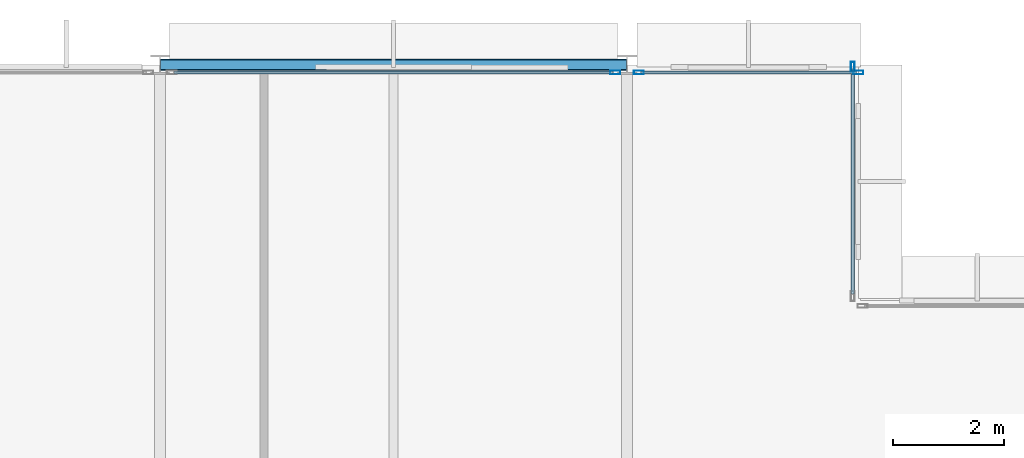
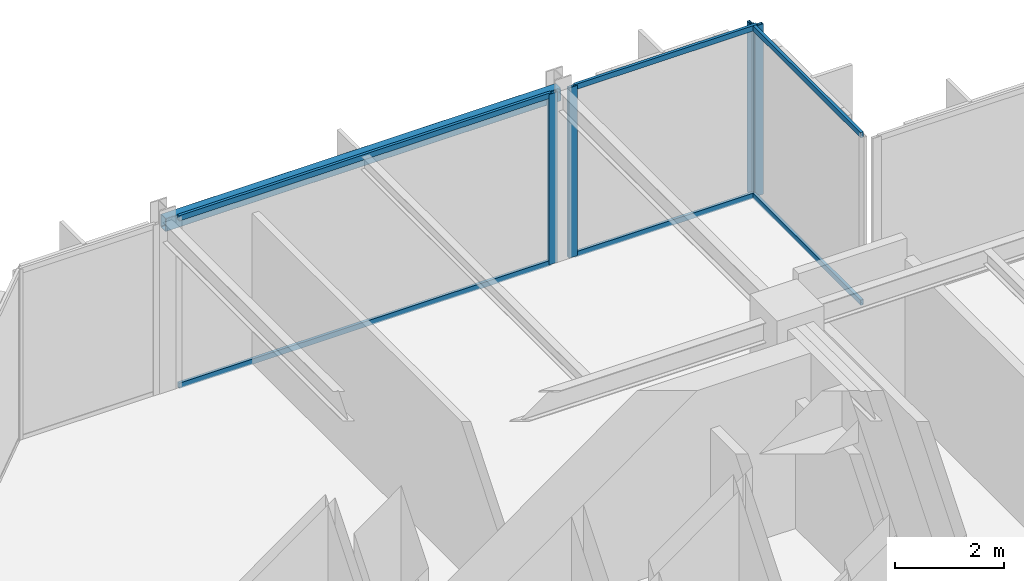
# One storey, part 21 of 30: 10 members, 1 beam, 3 elements without a shape of their own.
"""IFC4 building model written with IfcOpenShell, lengths in metres."""

import ifcopenshell
import ifcopenshell.guid

model = None  # the IFC model being written
_history = None  # IfcOwnerHistory: only IFC2X3 demands one
_inside = {}  # id of a spatial element -> (the spatial element, [elements in it])
_under = {}  # id of a project, library or spatial element -> (it, [spatial elements below it])
_declared = {}  # id of a project -> (the project, [libraries it declares])
_typed = {}  # id of a type object -> (the type object, [elements of that type])
_made_of = {}  # id of a material, layer set ... -> (it, [elements and type objects made of it])


def new_model(schema):
    """Start an empty IFC model of exactly this schema.

    Asked for "IFC4X3", IfcOpenShell would pick the latest addendum, in which some entities
    have other attributes; the version numbers below select the first issue.
    IFC2X3 requires an IfcOwnerHistory on every rooted entity: one is made here for all.
    """
    global model, _history
    if schema == "IFC4X3":
        model = ifcopenshell.file(schema_version=(4, 3, 0, 0))
    else:
        model = ifcopenshell.file(schema=schema)
    _inside.clear()
    _under.clear()
    _declared.clear()
    _typed.clear()
    _made_of.clear()
    _history = None
    if model.schema == "IFC2X3":
        org = make("IfcOrganization", Name="unknown")
        user = make(
            "IfcPersonAndOrganization",
            ThePerson=make("IfcPerson", FamilyName="unknown"),
            TheOrganization=org,
        )
        app = make(
            "IfcApplication",
            ApplicationDeveloper=org,
            Version="unknown",
            ApplicationFullName="unknown",
            ApplicationIdentifier="unknown",
        )
        _history = make(
            "IfcOwnerHistory",
            OwningUser=user,
            OwningApplication=app,
            ChangeAction="ADDED",
            CreationDate=0,
        )
    return model


def make(cls, **values):
    """One entity of the class cls with the attributes given. An attribute that is None is left unset."""
    return model.create_entity(
        cls, **{name: value for name, value in values.items() if value is not None}
    )


def rooted(cls, **values):
    """An entity with a GlobalId (a new one), such as an element, a storey or a relation."""
    return make(cls, GlobalId=ifcopenshell.guid.new(), OwnerHistory=_history, **values)


def si_unit(unit_type, name, prefix=None):
    """IfcSIUnit, for example si_unit("LENGTHUNIT", "METRE", prefix="MILLI")."""
    return make("IfcSIUnit", UnitType=unit_type, Prefix=prefix, Name=name)


def assignment(units):
    """IfcUnitAssignment: the units of a project."""
    return None if units is None else make("IfcUnitAssignment", Units=units)


def point(xyz):
    """IfcCartesianPoint."""
    return None if xyz is None else make("IfcCartesianPoint", Coordinates=xyz)


def direction(xyz):
    """IfcDirection."""
    return None if xyz is None else make("IfcDirection", DirectionRatios=xyz)


def frame(location, z_axis=None, x_axis=None):
    """IfcAxis2Placement3D, a coordinate frame: its origin and axes. An axis left out is left unset."""
    return make(
        "IfcAxis2Placement3D",
        Location=point(location),
        Axis=direction(z_axis),
        RefDirection=direction(x_axis),
    )


def frame_2d(location, x_axis=None):
    """IfcAxis2Placement2D, a coordinate frame in the plane: its origin and x axis."""
    return make(
        "IfcAxis2Placement2D", Location=point(location), RefDirection=direction(x_axis)
    )


def origin():
    """The frame at (0, 0, 0) with its axes left unset."""
    return frame((0.0, 0.0, 0.0))


def origin_2d():
    """The frame at (0, 0) in the plane with its x axis left unset."""
    return frame_2d((0.0, 0.0))


def place(relative_to, where):
    """IfcLocalPlacement: puts the frame where relative to a parent placement (None: the world)."""
    return make(
        "IfcLocalPlacement", PlacementRelTo=relative_to, RelativePlacement=where
    )


def context(
    kind, dimensions, precision=None, world=None, true_north=None, identifier=None
):
    """IfcGeometricRepresentationContext, for example the 3D "Model" context."""
    return make(
        "IfcGeometricRepresentationContext",
        ContextIdentifier=identifier,
        ContextType=kind,
        CoordinateSpaceDimension=dimensions,
        Precision=precision,
        WorldCoordinateSystem=world,
        TrueNorth=true_north,
    )


def subcontext(parent, identifier, kind, view, scale=None):
    """IfcGeometricRepresentationSubContext, for example "Body" below "Model"."""
    return make(
        "IfcGeometricRepresentationSubContext",
        ContextIdentifier=identifier,
        ContextType=kind,
        ParentContext=parent,
        TargetScale=scale,
        TargetView=view,
    )


def project(units=None, contexts=None):
    """IfcProject with its units and contexts."""
    return rooted(
        "IfcProject",
        Name="project",
        RepresentationContexts=contexts,
        UnitsInContext=assignment(units),
    )


def spatial(cls, under=None, at=None, **own):
    """A site, building, storey or space (cls), placed at a placement, below another one or the project."""
    s = rooted(cls, ObjectPlacement=at, **own)
    if under is not None:
        _under.setdefault(under.id(), (under, []))[1].append(s)
    return s


def profile(cls, at=None, kind="AREA", **sizes):
    """A parametric profile (cls). Its sizes go by their IFC names, for example OverallWidth=200.0."""
    return make(cls, ProfileType=kind, Position=at, **sizes)


def hollow_rectangle(**sizes):
    """IfcRectangleHollowProfileDef."""
    return profile("IfcRectangleHollowProfileDef", **sizes)


def extrude(swept, where, along, depth):
    """IfcExtrudedAreaSolid: the profile swept, set in the frame where, extruded along a direction by depth."""
    return make(
        "IfcExtrudedAreaSolid",
        SweptArea=swept,
        Position=where,
        ExtrudedDirection=direction(along),
        Depth=depth,
    )


def shape(context_of_items, identifier, shape_type, items):
    """IfcShapeRepresentation: the items that make up one representation, for example the "Body"."""
    return make(
        "IfcShapeRepresentation",
        ContextOfItems=context_of_items,
        RepresentationIdentifier=identifier,
        RepresentationType=shape_type,
        Items=items,
    )


def material(Name=None, Category=None):
    """IfcMaterial."""
    return make("IfcMaterial", Name=Name, Category=Category)


def layer(
    of_material, thickness, ventilated=None, Name=None, Category=None, Priority=None
):
    """IfcMaterialLayer: one layer of a wall or slab, of a material (None: an air gap)."""
    return make(
        "IfcMaterialLayer",
        Material=of_material,
        LayerThickness=thickness,
        IsVentilated=ventilated,
        Name=Name,
        Category=Category,
        Priority=Priority,
    )


def layer_set(layers, Name=None):
    """IfcMaterialLayerSet."""
    return make("IfcMaterialLayerSet", MaterialLayers=layers, LayerSetName=Name)


def material_profile(
    of_material, cross_section, Name=None, Category=None, Priority=None
):
    """IfcMaterialProfile: a cross section and its material."""
    return make(
        "IfcMaterialProfile",
        Name=Name,
        Material=of_material,
        Profile=cross_section,
        Priority=Priority,
        Category=Category,
    )


def profile_set(profiles, Name=None, composite=None):
    """IfcMaterialProfileSet."""
    return make(
        "IfcMaterialProfileSet",
        Name=Name,
        MaterialProfiles=profiles,
        CompositeProfile=composite,
    )


def made_of(thing, what):
    """Note that an element or type object is made of a material, layer set ...; save() writes the relation."""
    if what is not None:
        _made_of.setdefault(what.id(), (what, []))[1].append(thing)
    return thing


def type_object(cls, material=None, **own):
    """A type object (cls), such as IfcWallType, which elements share."""
    return made_of(rooted(cls, **own), material)


def element(
    cls,
    number,
    at=None,
    inside=None,
    cuts=None,
    type_object=None,
    material=None,
    context=None,
    identifier="Body",
    shape_type=None,
    held_by="IfcProductDefinitionShape",
    body=None,
    shapes=None,
    **own,
):
    """One element of the class cls, such as IfcWall. Its Tag is "e" and its number.

    at: its placement. inside: the storey or other place that contains it. cuts: it is an
    opening in that element (IfcRelVoidsElement). A single representation is given by context,
    identifier, shape_type and body (its items); several are given by shapes. held_by: the class
    of the entity that holds the representations. save() writes the other relations.
    """
    e = rooted(cls, Tag="e%d" % number, ObjectPlacement=at, **own)
    if body is not None:
        shapes = [shape(context, identifier, shape_type, body)]
    if shapes is not None:
        e.Representation = make(held_by, Representations=shapes)
    if inside is not None:
        _inside.setdefault(inside.id(), (inside, []))[1].append(e)
    if cuts is not None:
        rooted(
            "IfcRelVoidsElement", RelatingBuildingElement=cuts, RelatedOpeningElement=e
        )
    if type_object is not None:
        _typed.setdefault(type_object.id(), (type_object, []))[1].append(e)
    return made_of(e, material)


def aggregate(whole, parts):
    """IfcRelAggregates: a whole, such as a stair, and the parts it consists of."""
    return rooted("IfcRelAggregates", RelatingObject=whole, RelatedObjects=parts)


def save(model, path):
    """Write the relations noted so far, then the file.

    IfcRelAggregates (storeys below a building ...), IfcRelContainedInSpatialStructure (elements
    in a storey), IfcRelDefinesByType, IfcRelAssociatesMaterial and IfcRelDeclares: one each for
    every whole, place, type object, material and project.
    """
    for whole, parts in _under.values():
        aggregate(whole, parts)
    for where, things in _inside.values():
        rooted(
            "IfcRelContainedInSpatialStructure",
            RelatedElements=things,
            RelatingStructure=where,
        )
    for kind, things in _typed.values():
        rooted("IfcRelDefinesByType", RelatedObjects=things, RelatingType=kind)
    for what, things in _made_of.values():
        rooted("IfcRelAssociatesMaterial", RelatedObjects=things, RelatingMaterial=what)
    for by, libraries in _declared.values():
        rooted("IfcRelDeclares", RelatingContext=by, RelatedDefinitions=libraries)
    model.write(path)


model = new_model("IFC4")

# Units and contexts
model_context = context("Model", 3, precision=1e-05, world=origin(), true_north=direction((0.0, 1.0)))
body_context = subcontext(model_context, "Body", "Model", "MODEL_VIEW")
ifc_project = project(units=[si_unit("LENGTHUNIT", "METRE"), si_unit("AREAUNIT", "SQUARE_METRE"), si_unit("VOLUMEUNIT", "CUBIC_METRE"), si_unit("PLANEANGLEUNIT", "RADIAN"), si_unit("MASSUNIT", "GRAM", prefix="KILO")], contexts=[model_context])

# Site, building, storey
site_placement = place(None, origin())
site = spatial("IfcSite", under=ifc_project, at=site_placement, CompositionType="ELEMENT")
building_placement = place(site_placement, origin())
building = spatial("IfcBuilding", under=site, at=building_placement, Name="Nerrivon Quay Data Exchange", CompositionType="ELEMENT")
storey_placement = place(building_placement, frame((0.0, 0.0, 171.39990234375)))
storey = spatial("IfcBuildingStorey", under=building, at=storey_placement, Name="L40", CompositionType="ELEMENT", Elevation=171.39990234375)

# Beam
ifc_material_1 = material(Name="Steel Grade C350L0 (350 MPa)", Category="steel")
ifc_material_profile_1 = material_profile(ifc_material_1, hollow_rectangle(XDim=0.199951171875, YDim=0.300048828125, WallThickness=0.012451171875, InnerFilletRadius=0.018798828125, OuterFilletRadius=0.03125, at=origin_2d()), Name="300x200x12.5RHS")
ifc_profile_set_1 = profile_set([ifc_material_profile_1], Name="Steel Grade C350L0 (350 MPa)")
beam_type = type_object("IfcBeamType", Name="BM-SP3-300x200RHS", PredefinedType="SPANDREL", material=ifc_profile_set_1)
beam_placement = place(storey_placement, frame((8.409912109375, 50.39990234375, 3.675048828125), z_axis=(1.0, 0.0, 0.0), x_axis=(0.0, 1.0, 0.0)))
element("IfcBeam", 1, at=beam_placement, inside=storey, type_object=beam_type, Name="L40 EW Girder Y=50.4 (8.4..16.8)", PredefinedType="SPANDREL", context=body_context, shape_type="SweptSolid", body=[
    extrude(hollow_rectangle(XDim=0.199951171875, YDim=0.300048828125, WallThickness=0.012451171875, InnerFilletRadius=0.018798828125, OuterFilletRadius=0.03125, at=origin_2d()), origin(), (0.0, 0.0, 1.0), 8.380126953125),
])

# Curtain wall, member
ifc_material_2 = material(Name="Anodised aluminium 6063-T6", Category="aluminium")
ifc_layer = layer(ifc_material_2, 0.195068359375)
ifc_layer_set = layer_set([ifc_layer], Name="Anodised aluminium 6063-T6")
curtain_wall_type = type_object("IfcCurtainWallType", Name="CW-SYS-06", PredefinedType="NOTDEFINED", material=ifc_layer_set)
curtain_wall_1_placement = place(storey_placement, origin())
curtain_wall_1 = element("IfcCurtainWall", 2, at=curtain_wall_1_placement, inside=storey, type_object=curtain_wall_type, Name="L40 Unitised Curtain Wall 9", PredefinedType="NOTDEFINED")
ifc_material_profile_2 = material_profile(ifc_material_2, hollow_rectangle(XDim=0.06494140625, YDim=0.179931640625, WallThickness=0.00341796875, at=origin_2d()), Name="ALU-MULL-180x65")
ifc_profile_set_2 = profile_set([ifc_material_profile_2], Name="Anodised aluminium 6063-T6")
member_type_1 = type_object("IfcMemberType", Name="CWM-180x65", PredefinedType="MULLION", material=ifc_profile_set_2)
member_1_placement = place(storey_placement, frame((16.58740234375, 50.260009765625, 0.0), z_axis=(0.0, 0.0, 1.0), x_axis=(0.0, 1.0, 0.0)))
member_1 = element("IfcMember", 3, at=member_1_placement, type_object=member_type_1, Name="CW06 mullion 2", PredefinedType="MULLION", context=body_context, shape_type="SweptSolid", body=[
    extrude(hollow_rectangle(XDim=0.06494140625, YDim=0.179931640625, WallThickness=0.00341796875, at=origin_2d()), origin(), (0.0, 0.0, 1.0), 3.8251953125),
])

# Curtain wall, members
curtain_wall_2_placement = place(storey_placement, origin())
curtain_wall_2 = element("IfcCurtainWall", 4, at=curtain_wall_2_placement, inside=storey, type_object=curtain_wall_type, Name="L40 Unitised Curtain Wall 10", PredefinedType="NOTDEFINED")
member_2_placement = place(storey_placement, frame((17.012451171875, 50.260009765625, 0.0), z_axis=(0.0, 0.0, 1.0), x_axis=(0.0, 1.0, 0.0)))
member_2 = element("IfcMember", 5, at=member_2_placement, type_object=member_type_1, Name="CW06 mullion 1", PredefinedType="MULLION", context=body_context, shape_type="SweptSolid", body=[
    extrude(hollow_rectangle(XDim=0.06494140625, YDim=0.179931640625, WallThickness=0.00341796875, at=origin_2d()), origin(), (0.0, 0.0, 1.0), 3.8251953125),
])
member_3_placement = place(storey_placement, frame((20.96240234375, 50.260009765625, 0.0), z_axis=(0.0, 0.0, 1.0), x_axis=(0.0, 1.0, 0.0)))
member_3 = element("IfcMember", 6, at=member_3_placement, type_object=member_type_1, Name="CW06 mullion 2", PredefinedType="MULLION", context=body_context, shape_type="SweptSolid", body=[
    extrude(hollow_rectangle(XDim=0.06494140625, YDim=0.179931640625, WallThickness=0.00341796875, at=origin_2d()), origin(), (0.0, 0.0, 1.0), 3.8251953125),
])

# Curtain wall, member
curtain_wall_3_placement = place(storey_placement, origin())
curtain_wall_3 = element("IfcCurtainWall", 7, at=curtain_wall_3_placement, inside=storey, type_object=curtain_wall_type, Name="L40 Unitised Curtain Wall 11", PredefinedType="NOTDEFINED")
member_4_placement = place(storey_placement, frame((20.860107421875, 50.362548828125, 0.0), z_axis=(0.0, 0.0, 1.0), x_axis=(1.0, 0.0, 0.0)))
member_4 = element("IfcMember", 8, at=member_4_placement, type_object=member_type_1, Name="CW06 mullion 1", PredefinedType="MULLION", context=body_context, shape_type="SweptSolid", body=[
    extrude(hollow_rectangle(XDim=0.06494140625, YDim=0.179931640625, WallThickness=0.00341796875, at=origin_2d()), origin(), (0.0, 0.0, 1.0), 3.8251953125),
])

# Member
ifc_material_profile_3 = material_profile(ifc_material_2, hollow_rectangle(XDim=0.06005859375, YDim=0.1201171875, WallThickness=0.003173828125, at=origin_2d()), Name="ALU-TRAN-120x60")
ifc_profile_set_3 = profile_set([ifc_material_profile_3], Name="Anodised aluminium 6063-T6")
member_type_2 = type_object("IfcMemberType", Name="CWT-120x60", PredefinedType="USERDEFINED", material=ifc_profile_set_3)
member_5_placement = place(storey_placement, frame((8.64990234375, 50.260009765625, 0.03271484375), z_axis=(1.0, 0.0, 0.0), x_axis=(0.0, 1.0, 0.0)))
member_5 = element("IfcMember", 9, at=member_5_placement, type_object=member_type_2, Name="CW06 transom 1.1", ObjectType="TRANSOM", PredefinedType="USERDEFINED", context=body_context, shape_type="SweptSolid", body=[
    extrude(hollow_rectangle(XDim=0.06005859375, YDim=0.1201171875, WallThickness=0.003173828125, at=origin_2d()), origin(), (0.0, 0.0, 1.0), 7.900146484375),
])

member_6_placement = place(storey_placement, frame((8.64990234375, 50.260009765625, 3.79248046875), z_axis=(1.0, 0.0, 0.0), x_axis=(0.0, 1.0, 0.0)))
member_6 = element("IfcMember", 10, at=member_6_placement, type_object=member_type_2, Name="CW06 transom 1.2", ObjectType="TRANSOM", PredefinedType="USERDEFINED", context=body_context, shape_type="SweptSolid", body=[
    extrude(hollow_rectangle(XDim=0.06005859375, YDim=0.1201171875, WallThickness=0.003173828125, at=origin_2d()), origin(), (0.0, 0.0, 1.0), 7.900146484375),
])

aggregate(curtain_wall_1, [member_1, member_5, member_6])

member_7_placement = place(storey_placement, frame((17.050048828125, 50.260009765625, 0.03271484375), z_axis=(1.0, 0.0, 0.0), x_axis=(0.0, 1.0, 0.0)))
member_7 = element("IfcMember", 11, at=member_7_placement, type_object=member_type_2, Name="CW06 transom 1.1", ObjectType="TRANSOM", PredefinedType="USERDEFINED", context=body_context, shape_type="SweptSolid", body=[
    extrude(hollow_rectangle(XDim=0.06005859375, YDim=0.1201171875, WallThickness=0.003173828125, at=origin_2d()), origin(), (0.0, 0.0, 1.0), 3.875),
])

member_8_placement = place(storey_placement, frame((17.050048828125, 50.260009765625, 3.79248046875), z_axis=(1.0, 0.0, 0.0), x_axis=(0.0, 1.0, 0.0)))
member_8 = element("IfcMember", 12, at=member_8_placement, type_object=member_type_2, Name="CW06 transom 1.2", ObjectType="TRANSOM", PredefinedType="USERDEFINED", context=body_context, shape_type="SweptSolid", body=[
    extrude(hollow_rectangle(XDim=0.06005859375, YDim=0.1201171875, WallThickness=0.003173828125, at=origin_2d()), origin(), (0.0, 0.0, 1.0), 3.875),
])

aggregate(curtain_wall_2, [member_2, member_3, member_7, member_8])

member_9_placement = place(storey_placement, frame((20.860107421875, 50.324951171875, 0.03271484375), z_axis=(0.0, -1.0, 0.0), x_axis=(1.0, 0.0, 0.0)))
member_9 = element("IfcMember", 13, at=member_9_placement, type_object=member_type_2, Name="CW06 transom 1.1", ObjectType="TRANSOM", PredefinedType="USERDEFINED", context=body_context, shape_type="SweptSolid", body=[
    extrude(hollow_rectangle(XDim=0.06005859375, YDim=0.1201171875, WallThickness=0.003173828125, at=origin_2d()), origin(), (0.0, 0.0, 1.0), 4.050048828125),
])

member_10_placement = place(storey_placement, frame((20.860107421875, 50.324951171875, 3.79248046875), z_axis=(0.0, -1.0, 0.0), x_axis=(1.0, 0.0, 0.0)))
member_10 = element("IfcMember", 14, at=member_10_placement, type_object=member_type_2, Name="CW06 transom 1.2", ObjectType="TRANSOM", PredefinedType="USERDEFINED", context=body_context, shape_type="SweptSolid", body=[
    extrude(hollow_rectangle(XDim=0.06005859375, YDim=0.1201171875, WallThickness=0.003173828125, at=origin_2d()), origin(), (0.0, 0.0, 1.0), 4.050048828125),
])

aggregate(curtain_wall_3, [member_4, member_9, member_10])

save(model, "model.ifc")
